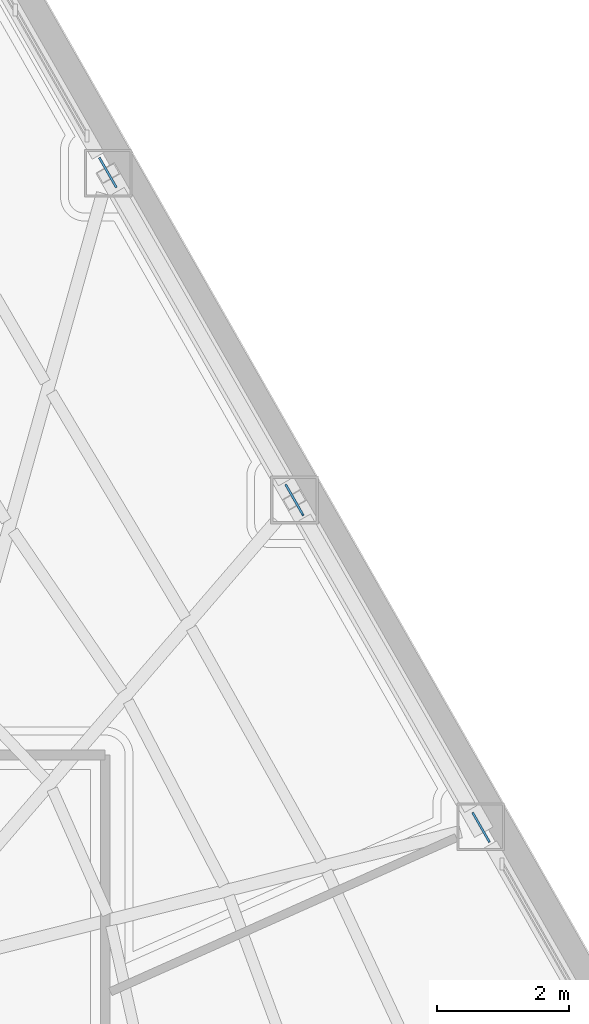
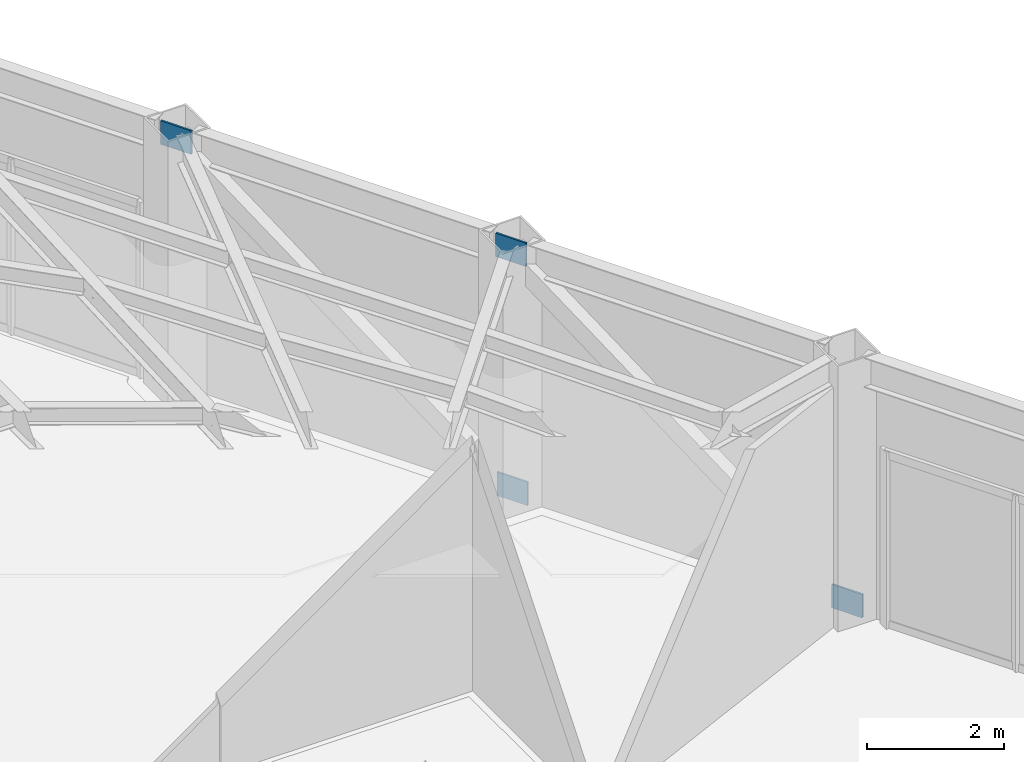
# One storey, part 8 of 14: 4 plates.
"""IFC4 building model written with IfcOpenShell, lengths in metres."""

from ifc_helpers import new_model, si_unit, direction, frame, origin, origin_2d, place, context, subcontext, project, spatial, rectangle, extrude, material, layer, layer_set, type_object, element, save


model = new_model("IFC4")

# Units and contexts
model_context = context("Model", 3, precision=1e-05, world=origin(), true_north=direction((0.0, 1.0)))
body_context = subcontext(model_context, "Body", "Model", "MODEL_VIEW")
ifc_project = project(units=[si_unit("LENGTHUNIT", "METRE"), si_unit("AREAUNIT", "SQUARE_METRE"), si_unit("VOLUMEUNIT", "CUBIC_METRE"), si_unit("PLANEANGLEUNIT", "RADIAN"), si_unit("MASSUNIT", "GRAM", prefix="KILO")], contexts=[model_context])

# Site, building, storey
site_placement = place(None, origin())
site = spatial("IfcSite", under=ifc_project, at=site_placement, CompositionType="ELEMENT")
building_placement = place(site_placement, origin())
building = spatial("IfcBuilding", under=site, at=building_placement, Name="Kavelnor Concourse Tower", CompositionType="ELEMENT")
storey_placement = place(building_placement, frame((0.0, 0.0, 80.5)))
storey = spatial("IfcBuildingStorey", under=building, at=storey_placement, Name="L20", CompositionType="ELEMENT", Elevation=80.5)

# Plates
ifc_material = material(Name="Steel Grade 350", Category="steel")
ifc_layer = layer(ifc_material, 0.031982421875, Name="Steel Grade 350")
ifc_layer_set = layer_set([ifc_layer], Name="Steel Grade 350")
plate_type = type_object("IfcPlateType", Name="PL-GUSSET-TUBE-Z1", PredefinedType="USERDEFINED", material=ifc_layer_set)
for number, where, z_axis, x_axis, name in (
    (1, (55.64892578125, 23.95751953125, 0.010009765625), (0.0, 0.0, 1.0), (-0.495155428655, 0.868804409216, 0.0), "L20 Tube Brace Gusset GP3 F2-B2 End Gusset A"),
    (2, (52.824462890625, 28.912841796875, 4.2734375), (0.0, 0.0, 1.0), (-0.495155428655, 0.868804409216, 0.0), "L20 Tube Brace Gusset GP3 F2-B2 End Gusset B"),
    (3, (52.836181640625, 28.89208984375, 0.010009765625), (0.0, 0.0, 1.0), (-0.495155428655, 0.868804409216, 0.0), "L20 Tube Brace Gusset GP3 F2-B3 End Gusset A"),
    (4, (50.01171875, 33.847412109375, 4.2734375), (0.0, 0.0, 1.0), (-0.495155428655, 0.868804409216, 0.0), "L20 Tube Brace Gusset GP3 F2-B3 End Gusset B"),
):
    element("IfcPlate", number, at=place(storey_placement, frame(where, z_axis=z_axis, x_axis=x_axis)), inside=storey, type_object=plate_type, Name=name, ObjectType="GUSSET_PLATE", PredefinedType="USERDEFINED", context=body_context, shape_type="SweptSolid", body=[
        extrude(rectangle(XDim=0.52001953125, YDim=0.031982421875, at=origin_2d()), origin(), (0.0, 0.0, 1.0), 0.419921875),
    ])

save(model, "model.ifc")
